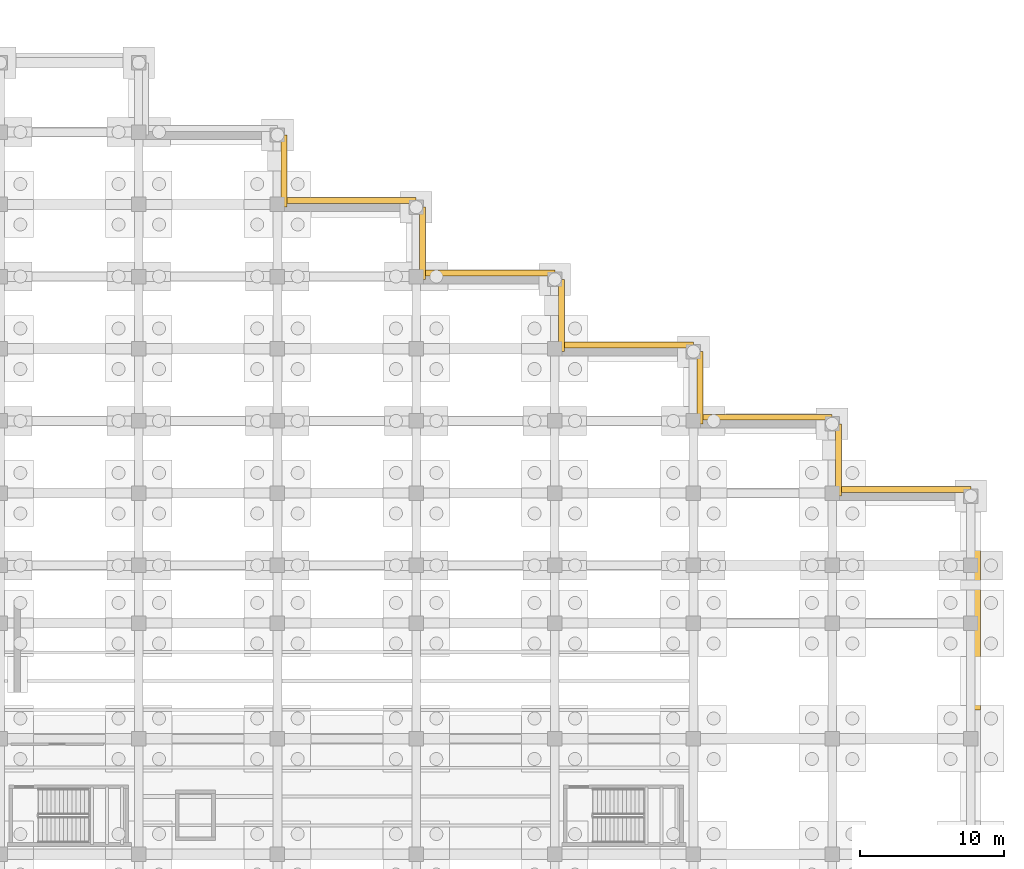
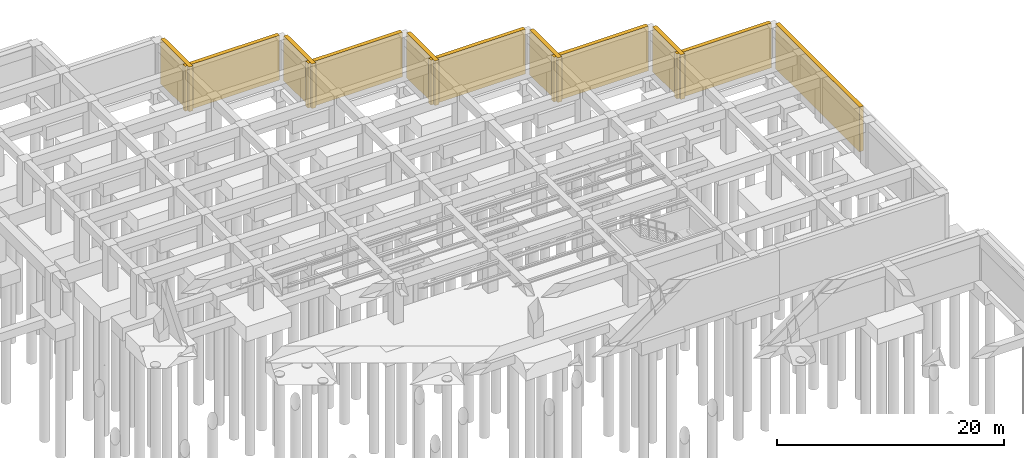
# One storey, part 55 of 56: 11 coverings.
"""IFC4 building model written with IfcOpenShell, lengths in metres."""

from ifc_helpers import new_model, si_unit, direction, frame, origin, place, context, subcontext, project, spatial, polyline, outline, extrude, material, layer, layer_set, type_object, element, save


model = new_model("IFC4")

# Units and contexts
model_context = context("Model", 3, precision=1e-05, world=origin(), true_north=direction((0.0, 1.0)))
body_context = subcontext(model_context, "Body", "Model", "MODEL_VIEW")
ifc_project = project(units=[si_unit("LENGTHUNIT", "METRE"), si_unit("AREAUNIT", "SQUARE_METRE"), si_unit("VOLUMEUNIT", "CUBIC_METRE"), si_unit("PLANEANGLEUNIT", "RADIAN"), si_unit("MASSUNIT", "GRAM", prefix="KILO")], contexts=[model_context])

# Site, building, storey
site_placement = place(None, origin())
site = spatial("IfcSite", under=ifc_project, at=site_placement, CompositionType="ELEMENT")
building_placement = place(site_placement, origin())
building = spatial("IfcBuilding", under=site, at=building_placement, Name="Mavantir Sound Aquarium", CompositionType="ELEMENT")
storey_placement = place(building_placement, frame((0.0, 0.0, -9.60009765625)))
storey = spatial("IfcBuildingStorey", under=building, at=storey_placement, Name="B2", CompositionType="ELEMENT", Elevation=-9.60009765625)

# Coverings
ifc_material = material(Name="Honed Coral-Limestone & Glazed Terracotta Rainscreen Cladding", Category="masonry")
ifc_layer = layer(ifc_material, 0.06005859375, Name="Honed Coral-Limestone & Glazed Terracotta Rainscreen Cladding")
ifc_layer_set = layer_set([ifc_layer], Name="Honed Coral-Limestone & Glazed Terracotta Rainscreen Cladding")
covering_type = type_object("IfcCoveringType", Name="COV-CLAD-TC", PredefinedType="CLADDING", material=ifc_layer_set)
covering_1_placement = place(storey_placement, origin())
element("IfcCovering", 1, at=covering_1_placement, inside=storey, type_object=covering_type, Name="B2 rusticated coral-stone plinth cladding 13", PredefinedType="CLADDING", context=body_context, shape_type="SweptSolid", body=[
    extrude(outline(polyline([(175.449951171875, 50.800048828125), (175.449951171875, 65.60009765625), (175.860107421875, 65.60009765625), (175.860107421875, 50.800048828125), (175.449951171875, 50.800048828125)])), origin(), (0.0, 0.0, 1.0), 4.800048828125),
])
covering_2_placement = place(storey_placement, origin())
element("IfcCovering", 2, at=covering_2_placement, inside=storey, type_object=covering_type, Name="B2 rusticated coral-stone plinth cladding 14", PredefinedType="CLADDING", context=body_context, shape_type="SweptSolid", body=[
    extrude(outline(polyline([(175.199951171875, 65.85009765625), (165.60009765625, 65.85009765625), (165.60009765625, 66.260009765625), (175.199951171875, 66.260009765625), (175.199951171875, 65.85009765625)])), origin(), (0.0, 0.0, 1.0), 4.800048828125),
])
covering_3_placement = place(storey_placement, origin())
element("IfcCovering", 3, at=covering_3_placement, inside=storey, type_object=covering_type, Name="B2 rusticated coral-stone plinth cladding 15", PredefinedType="CLADDING", context=body_context, shape_type="SweptSolid", body=[
    extrude(outline(polyline([(165.85009765625, 65.60009765625), (165.85009765625, 70.60009765625), (166.260009765625, 70.60009765625), (166.260009765625, 65.60009765625), (165.85009765625, 65.60009765625)])), origin(), (0.0, 0.0, 1.0), 4.800048828125),
])
covering_4_placement = place(storey_placement, origin())
element("IfcCovering", 4, at=covering_4_placement, inside=storey, type_object=covering_type, Name="B2 rusticated coral-stone plinth cladding 16", PredefinedType="CLADDING", context=body_context, shape_type="SweptSolid", body=[
    extrude(outline(polyline([(165.60009765625, 70.85009765625), (156.0, 70.85009765625), (156.0, 71.260009765625), (165.60009765625, 71.260009765625), (165.60009765625, 70.85009765625)])), origin(), (0.0, 0.0, 1.0), 4.800048828125),
])
covering_5_placement = place(storey_placement, origin())
element("IfcCovering", 5, at=covering_5_placement, inside=storey, type_object=covering_type, Name="B2 rusticated coral-stone plinth cladding 17", PredefinedType="CLADDING", context=body_context, shape_type="SweptSolid", body=[
    extrude(outline(polyline([(156.25, 70.60009765625), (156.25, 75.60009765625), (156.659912109375, 75.60009765625), (156.659912109375, 70.60009765625), (156.25, 70.60009765625)])), origin(), (0.0, 0.0, 1.0), 4.800048828125),
])
covering_6_placement = place(storey_placement, origin())
element("IfcCovering", 6, at=covering_6_placement, inside=storey, type_object=covering_type, Name="B2 rusticated coral-stone plinth cladding 18", PredefinedType="CLADDING", context=body_context, shape_type="SweptSolid", body=[
    extrude(outline(polyline([(156.0, 75.85009765625), (146.39990234375, 75.85009765625), (146.39990234375, 76.260009765625), (156.0, 76.260009765625), (156.0, 75.85009765625)])), origin(), (0.0, 0.0, 1.0), 4.800048828125),
])
covering_7_placement = place(storey_placement, origin())
element("IfcCovering", 7, at=covering_7_placement, inside=storey, type_object=covering_type, Name="B2 rusticated coral-stone plinth cladding 19", PredefinedType="CLADDING", context=body_context, shape_type="SweptSolid", body=[
    extrude(outline(polyline([(146.64990234375, 75.60009765625), (146.64990234375, 80.60009765625), (147.06005859375, 80.60009765625), (147.06005859375, 75.60009765625), (146.64990234375, 75.60009765625)])), origin(), (0.0, 0.0, 1.0), 4.800048828125),
])
covering_8_placement = place(storey_placement, origin())
element("IfcCovering", 8, at=covering_8_placement, inside=storey, type_object=covering_type, Name="B2 rusticated coral-stone plinth cladding 20", PredefinedType="CLADDING", context=body_context, shape_type="SweptSolid", body=[
    extrude(outline(polyline([(146.39990234375, 80.85009765625), (136.800048828125, 80.85009765625), (136.800048828125, 81.260009765625), (146.39990234375, 81.260009765625), (146.39990234375, 80.85009765625)])), origin(), (0.0, 0.0, 1.0), 4.800048828125),
])
covering_9_placement = place(storey_placement, origin())
element("IfcCovering", 9, at=covering_9_placement, inside=storey, type_object=covering_type, Name="B2 rusticated coral-stone plinth cladding 21", PredefinedType="CLADDING", context=body_context, shape_type="SweptSolid", body=[
    extrude(outline(polyline([(137.050048828125, 80.60009765625), (137.050048828125, 85.60009765625), (137.4599609375, 85.60009765625), (137.4599609375, 80.60009765625), (137.050048828125, 80.60009765625)])), origin(), (0.0, 0.0, 1.0), 4.800048828125),
])
covering_10_placement = place(storey_placement, origin())
element("IfcCovering", 10, at=covering_10_placement, inside=storey, type_object=covering_type, Name="B2 rusticated coral-stone plinth cladding 22", PredefinedType="CLADDING", context=body_context, shape_type="SweptSolid", body=[
    extrude(outline(polyline([(136.800048828125, 85.85009765625), (127.199951171875, 85.85009765625), (127.199951171875, 86.260009765625), (136.800048828125, 86.260009765625), (136.800048828125, 85.85009765625)])), origin(), (0.0, 0.0, 1.0), 4.800048828125),
])
covering_11_placement = place(storey_placement, origin())
element("IfcCovering", 11, at=covering_11_placement, inside=storey, type_object=covering_type, Name="B2 rusticated coral-stone plinth cladding 23", PredefinedType="CLADDING", context=body_context, shape_type="SweptSolid", body=[
    extrude(outline(polyline([(127.449951171875, 85.60009765625), (127.449951171875, 90.60009765625), (127.860107421875, 90.60009765625), (127.860107421875, 85.60009765625), (127.449951171875, 85.60009765625)])), origin(), (0.0, 0.0, 1.0), 4.800048828125),
])

save(model, "model.ifc")
